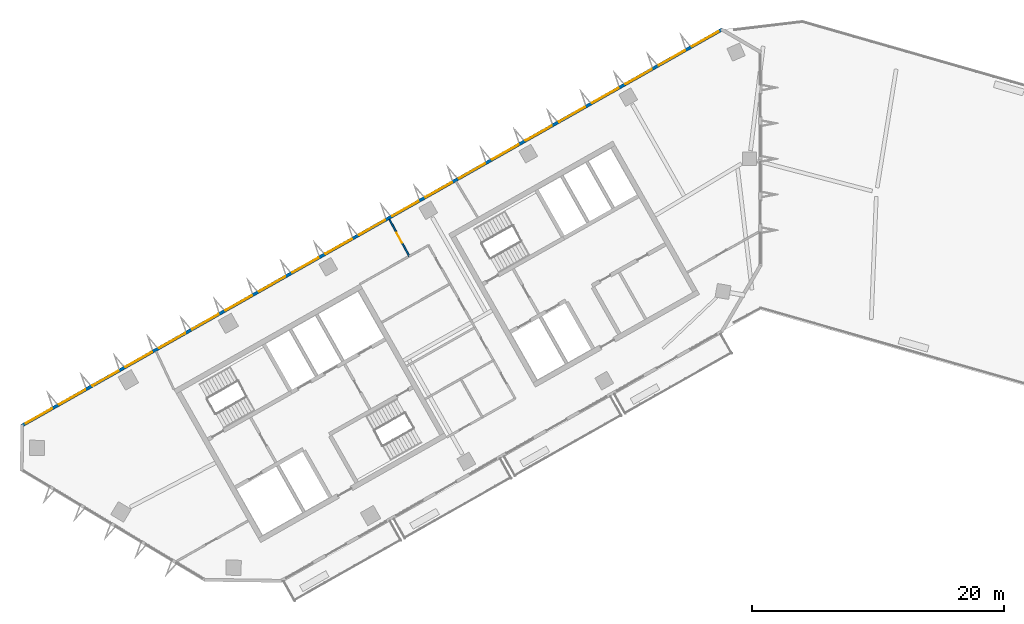
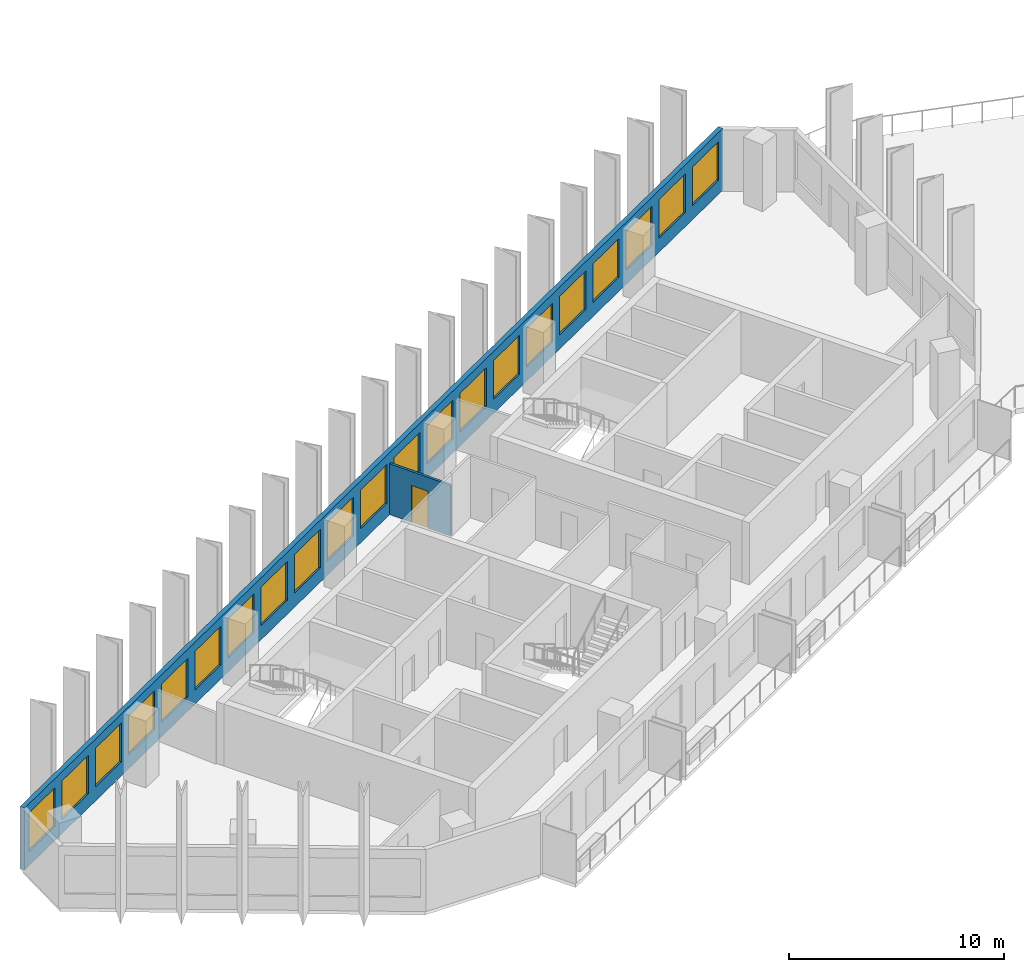
# One storey, part 3 of 8: 21 windows, 2 walls, 1 door, 22 openings.
"""IFC4 building model written with IfcOpenShell, lengths in metres."""

from ifc_helpers import new_model, si_unit, direction, frame, frame_2d, origin, place, context, subcontext, project, spatial, rectangle, extrude, material, layer, layer_set, type_object, element, fill, save


model = new_model("IFC4")

# Units and contexts
model_context = context("Model", 3, precision=1e-05, world=origin(), true_north=direction((0.0, 1.0)))
body_context = subcontext(model_context, "Body", "Model", "MODEL_VIEW")
ifc_project = project(units=[si_unit("LENGTHUNIT", "METRE"), si_unit("AREAUNIT", "SQUARE_METRE"), si_unit("VOLUMEUNIT", "CUBIC_METRE"), si_unit("PLANEANGLEUNIT", "RADIAN"), si_unit("MASSUNIT", "GRAM", prefix="KILO")], contexts=[model_context])

# Site, building, storey
site_placement = place(None, origin())
site = spatial("IfcSite", under=ifc_project, at=site_placement, CompositionType="ELEMENT")
building_placement = place(site_placement, origin())
building = spatial("IfcBuilding", under=site, at=building_placement, Name="Binnacle Exchange Tower", CompositionType="ELEMENT")
storey_placement = place(building_placement, frame((0.0, 0.0, 262.699951171875)))
storey = spatial("IfcBuildingStorey", under=building, at=storey_placement, Name="L58", CompositionType="ELEMENT", Elevation=262.699951171875)

# Wall, openings, windows
ifc_material_1 = material(Name="Bronze aluminium cladding", Category="aluminium")
ifc_layer_1 = layer(ifc_material_1, 0.25)
ifc_layer_set_1 = layer_set([ifc_layer_1], Name="External wall - window wall 250")
wall_type_1 = type_object("IfcWallType", Name="External wall - window wall 250", PredefinedType="STANDARD", material=ifc_layer_set_1)
wall_1_placement = place(storey_placement, frame((-58.732177734375, 38.770751953125, 0.0), z_axis=(0.0, 0.0, 1.0), x_axis=(0.870355615581, 0.492423702137, 0.0)))
wall_1 = element("IfcWall", 1, at=wall_1_placement, inside=storey, type_object=wall_type_1, Name="External wall EW-H03 L58", PredefinedType="STANDARD", context=body_context, shape_type="SweptSolid", body=[
    extrude(rectangle(XDim=64.052490234375, YDim=0.25, at=frame_2d((32.0263671875, 0.0))), origin(), (0.0, 0.0, 1.0), 3.52001953125),
])
opening_1_placement = place(wall_1_placement, frame((61.25927734375, 0.0, 0.800048828125)))
opening_1 = element("IfcOpeningElement", 2, at=opening_1_placement, cuts=wall_1, Name="Opening WR2", PredefinedType="OPENING", context=body_context, shape_type="SweptSolid", body=[
    extrude(rectangle(XDim=2.39990234375, YDim=2.199951171875, at=frame_2d((1.199951171875, 1.10009765625))), frame((0.0, 0.135009765625, 0.0), z_axis=(0.0, -1.0, 0.0), x_axis=(1.0, 0.0, 0.0)), (0.0, 0.0, 1.0), 0.27001953125),
])
opening_2_placement = place(wall_1_placement, frame((58.2158203125, 0.0, 0.800048828125)))
opening_2 = element("IfcOpeningElement", 3, at=opening_2_placement, cuts=wall_1, Name="Opening WR2", PredefinedType="OPENING", context=body_context, shape_type="SweptSolid", body=[
    extrude(rectangle(XDim=2.39990234375, YDim=2.199951171875, at=frame_2d((1.199951171875, 1.10009765625))), frame((0.0, 0.135009765625, 0.0), z_axis=(0.0, -1.0, 0.0), x_axis=(1.0, 0.0, 0.0)), (0.0, 0.0, 1.0), 0.27001953125),
])
opening_3_placement = place(wall_1_placement, frame((55.172607421875, 0.0, 0.800048828125)))
opening_3 = element("IfcOpeningElement", 4, at=opening_3_placement, cuts=wall_1, Name="Opening WR2", PredefinedType="OPENING", context=body_context, shape_type="SweptSolid", body=[
    extrude(rectangle(XDim=2.39990234375, YDim=2.199951171875, at=frame_2d((1.199951171875, 1.10009765625))), frame((0.0, 0.135009765625, 0.0), z_axis=(0.0, -1.0, 0.0), x_axis=(1.0, 0.0, 0.0)), (0.0, 0.0, 1.0), 0.27001953125),
])
opening_4_placement = place(wall_1_placement, frame((52.12939453125, 0.0, 0.800048828125)))
opening_4 = element("IfcOpeningElement", 5, at=opening_4_placement, cuts=wall_1, Name="Opening WR2", PredefinedType="OPENING", context=body_context, shape_type="SweptSolid", body=[
    extrude(rectangle(XDim=2.39990234375, YDim=2.199951171875, at=frame_2d((1.199951171875, 1.10009765625))), frame((0.0, 0.135009765625, 0.0), z_axis=(0.0, -1.0, 0.0), x_axis=(1.0, 0.0, 0.0)), (0.0, 0.0, 1.0), 0.27001953125),
])
opening_5_placement = place(wall_1_placement, frame((49.0859375, 0.0, 0.800048828125)))
opening_5 = element("IfcOpeningElement", 6, at=opening_5_placement, cuts=wall_1, Name="Opening WR2", PredefinedType="OPENING", context=body_context, shape_type="SweptSolid", body=[
    extrude(rectangle(XDim=2.39990234375, YDim=2.199951171875, at=frame_2d((1.199951171875, 1.10009765625))), frame((0.0, 0.135009765625, 0.0), z_axis=(0.0, -1.0, 0.0), x_axis=(1.0, 0.0, 0.0)), (0.0, 0.0, 1.0), 0.27001953125),
])
opening_6_placement = place(wall_1_placement, frame((46.042724609375, 0.0, 0.800048828125)))
opening_6 = element("IfcOpeningElement", 7, at=opening_6_placement, cuts=wall_1, Name="Opening WR2", PredefinedType="OPENING", context=body_context, shape_type="SweptSolid", body=[
    extrude(rectangle(XDim=2.39990234375, YDim=2.199951171875, at=frame_2d((1.199951171875, 1.10009765625))), frame((0.0, 0.135009765625, 0.0), z_axis=(0.0, -1.0, 0.0), x_axis=(1.0, 0.0, 0.0)), (0.0, 0.0, 1.0), 0.27001953125),
])
opening_7_placement = place(wall_1_placement, frame((42.99951171875, 0.0, 0.800048828125)))
opening_7 = element("IfcOpeningElement", 8, at=opening_7_placement, cuts=wall_1, Name="Opening WR2", PredefinedType="OPENING", context=body_context, shape_type="SweptSolid", body=[
    extrude(rectangle(XDim=2.39990234375, YDim=2.199951171875, at=frame_2d((1.199951171875, 1.10009765625))), frame((0.0, 0.135009765625, 0.0), z_axis=(0.0, -1.0, 0.0), x_axis=(1.0, 0.0, 0.0)), (0.0, 0.0, 1.0), 0.27001953125),
])
opening_8_placement = place(wall_1_placement, frame((39.956298828125, 0.0, 0.800048828125)))
opening_8 = element("IfcOpeningElement", 9, at=opening_8_placement, cuts=wall_1, Name="Opening WR2", PredefinedType="OPENING", context=body_context, shape_type="SweptSolid", body=[
    extrude(rectangle(XDim=2.39990234375, YDim=2.199951171875, at=frame_2d((1.199951171875, 1.10009765625))), frame((0.0, 0.135009765625, 0.0), z_axis=(0.0, -1.0, 0.0), x_axis=(1.0, 0.0, 0.0)), (0.0, 0.0, 1.0), 0.27001953125),
])
opening_9_placement = place(wall_1_placement, frame((36.912841796875, 0.0, 0.800048828125)))
opening_9 = element("IfcOpeningElement", 10, at=opening_9_placement, cuts=wall_1, Name="Opening WR2", PredefinedType="OPENING", context=body_context, shape_type="SweptSolid", body=[
    extrude(rectangle(XDim=2.39990234375, YDim=2.199951171875, at=frame_2d((1.199951171875, 1.10009765625))), frame((0.0, 0.135009765625, 0.0), z_axis=(0.0, -1.0, 0.0), x_axis=(1.0, 0.0, 0.0)), (0.0, 0.0, 1.0), 0.27001953125),
])
opening_10_placement = place(wall_1_placement, frame((33.86962890625, 0.0, 0.800048828125)))
opening_10 = element("IfcOpeningElement", 11, at=opening_10_placement, cuts=wall_1, Name="Opening WR2", PredefinedType="OPENING", context=body_context, shape_type="SweptSolid", body=[
    extrude(rectangle(XDim=2.39990234375, YDim=2.199951171875, at=frame_2d((1.199951171875, 1.10009765625))), frame((0.0, 0.135009765625, 0.0), z_axis=(0.0, -1.0, 0.0), x_axis=(1.0, 0.0, 0.0)), (0.0, 0.0, 1.0), 0.27001953125),
])
opening_11_placement = place(wall_1_placement, frame((30.826416015625, 0.0, 0.800048828125)))
opening_11 = element("IfcOpeningElement", 12, at=opening_11_placement, cuts=wall_1, Name="Opening WR2", PredefinedType="OPENING", context=body_context, shape_type="SweptSolid", body=[
    extrude(rectangle(XDim=2.39990234375, YDim=2.199951171875, at=frame_2d((1.199951171875, 1.10009765625))), frame((0.0, 0.135009765625, 0.0), z_axis=(0.0, -1.0, 0.0), x_axis=(1.0, 0.0, 0.0)), (0.0, 0.0, 1.0), 0.27001953125),
])
opening_12_placement = place(wall_1_placement, frame((27.782958984375, 0.0, 0.800048828125)))
opening_12 = element("IfcOpeningElement", 13, at=opening_12_placement, cuts=wall_1, Name="Opening WR2", PredefinedType="OPENING", context=body_context, shape_type="SweptSolid", body=[
    extrude(rectangle(XDim=2.39990234375, YDim=2.199951171875, at=frame_2d((1.199951171875, 1.10009765625))), frame((0.0, 0.135009765625, 0.0), z_axis=(0.0, -1.0, 0.0), x_axis=(1.0, 0.0, 0.0)), (0.0, 0.0, 1.0), 0.27001953125),
])
opening_13_placement = place(wall_1_placement, frame((24.73974609375, 0.0, 0.800048828125)))
opening_13 = element("IfcOpeningElement", 14, at=opening_13_placement, cuts=wall_1, Name="Opening WR2", PredefinedType="OPENING", context=body_context, shape_type="SweptSolid", body=[
    extrude(rectangle(XDim=2.39990234375, YDim=2.199951171875, at=frame_2d((1.199951171875, 1.10009765625))), frame((0.0, 0.135009765625, 0.0), z_axis=(0.0, -1.0, 0.0), x_axis=(1.0, 0.0, 0.0)), (0.0, 0.0, 1.0), 0.27001953125),
])
opening_14_placement = place(wall_1_placement, frame((21.6962890625, 0.0, 0.800048828125)))
opening_14 = element("IfcOpeningElement", 15, at=opening_14_placement, cuts=wall_1, Name="Opening WR2", PredefinedType="OPENING", context=body_context, shape_type="SweptSolid", body=[
    extrude(rectangle(XDim=2.39990234375, YDim=2.199951171875, at=frame_2d((1.199951171875, 1.10009765625))), frame((0.0, 0.135009765625, 0.0), z_axis=(0.0, -1.0, 0.0), x_axis=(1.0, 0.0, 0.0)), (0.0, 0.0, 1.0), 0.27001953125),
])
opening_15_placement = place(wall_1_placement, frame((18.6533203125, 0.0, 0.800048828125)))
opening_15 = element("IfcOpeningElement", 16, at=opening_15_placement, cuts=wall_1, Name="Opening WR2", PredefinedType="OPENING", context=body_context, shape_type="SweptSolid", body=[
    extrude(rectangle(XDim=2.39990234375, YDim=2.199951171875, at=frame_2d((1.199951171875, 1.10009765625))), frame((0.0, 0.135009765625, 0.0), z_axis=(0.0, -1.0, 0.0), x_axis=(1.0, 0.0, 0.0)), (0.0, 0.0, 1.0), 0.27001953125),
])
opening_16_placement = place(wall_1_placement, frame((15.60986328125, 0.0, 0.800048828125)))
opening_16 = element("IfcOpeningElement", 17, at=opening_16_placement, cuts=wall_1, Name="Opening WR2", PredefinedType="OPENING", context=body_context, shape_type="SweptSolid", body=[
    extrude(rectangle(XDim=2.39990234375, YDim=2.199951171875, at=frame_2d((1.199951171875, 1.10009765625))), frame((0.0, 0.135009765625, 0.0), z_axis=(0.0, -1.0, 0.0), x_axis=(1.0, 0.0, 0.0)), (0.0, 0.0, 1.0), 0.27001953125),
])
opening_17_placement = place(wall_1_placement, frame((12.566650390625, 0.0, 0.800048828125)))
opening_17 = element("IfcOpeningElement", 18, at=opening_17_placement, cuts=wall_1, Name="Opening WR2", PredefinedType="OPENING", context=body_context, shape_type="SweptSolid", body=[
    extrude(rectangle(XDim=2.39990234375, YDim=2.199951171875, at=frame_2d((1.199951171875, 1.10009765625))), frame((0.0, 0.135009765625, 0.0), z_axis=(0.0, -1.0, 0.0), x_axis=(1.0, 0.0, 0.0)), (0.0, 0.0, 1.0), 0.27001953125),
])
opening_18_placement = place(wall_1_placement, frame((9.523193359375, 0.0, 0.800048828125)))
opening_18 = element("IfcOpeningElement", 19, at=opening_18_placement, cuts=wall_1, Name="Opening WR2", PredefinedType="OPENING", context=body_context, shape_type="SweptSolid", body=[
    extrude(rectangle(XDim=2.39990234375, YDim=2.199951171875, at=frame_2d((1.199951171875, 1.10009765625))), frame((0.0, 0.135009765625, 0.0), z_axis=(0.0, -1.0, 0.0), x_axis=(1.0, 0.0, 0.0)), (0.0, 0.0, 1.0), 0.27001953125),
])
opening_19_placement = place(wall_1_placement, frame((6.47998046875, 0.0, 0.800048828125)))
opening_19 = element("IfcOpeningElement", 20, at=opening_19_placement, cuts=wall_1, Name="Opening WR2", PredefinedType="OPENING", context=body_context, shape_type="SweptSolid", body=[
    extrude(rectangle(XDim=2.39990234375, YDim=2.199951171875, at=frame_2d((1.199951171875, 1.10009765625))), frame((0.0, 0.135009765625, 0.0), z_axis=(0.0, -1.0, 0.0), x_axis=(1.0, 0.0, 0.0)), (0.0, 0.0, 1.0), 0.27001953125),
])
opening_20_placement = place(wall_1_placement, frame((3.436767578125, 0.0, 0.800048828125)))
opening_20 = element("IfcOpeningElement", 21, at=opening_20_placement, cuts=wall_1, Name="Opening WR2", PredefinedType="OPENING", context=body_context, shape_type="SweptSolid", body=[
    extrude(rectangle(XDim=2.39990234375, YDim=2.199951171875, at=frame_2d((1.199951171875, 1.10009765625))), frame((0.0, 0.135009765625, 0.0), z_axis=(0.0, -1.0, 0.0), x_axis=(1.0, 0.0, 0.0)), (0.0, 0.0, 1.0), 0.27001953125),
])
opening_21_placement = place(wall_1_placement, frame((0.393310546875, 0.0, 0.800048828125)))
opening_21 = element("IfcOpeningElement", 22, at=opening_21_placement, cuts=wall_1, Name="Opening WR2", PredefinedType="OPENING", context=body_context, shape_type="SweptSolid", body=[
    extrude(rectangle(XDim=2.39990234375, YDim=2.199951171875, at=frame_2d((1.199951171875, 1.10009765625))), frame((0.0, 0.135009765625, 0.0), z_axis=(0.0, -1.0, 0.0), x_axis=(1.0, 0.0, 0.0)), (0.0, 0.0, 1.0), 0.27001953125),
])
ifc_material_2 = material(Name="Bronze anodised aluminium frame", Category="aluminium")
window_type = type_object("IfcWindowType", Name="WR2 WINDOW 2400x2200", PartitioningType="SINGLE_PANEL", PredefinedType="WINDOW", material=ifc_material_2)
window_1_placement = place(opening_1_placement, origin())
window_1 = element("IfcWindow", 23, at=window_1_placement, inside=storey, type_object=window_type, Name="Window WR2 L58", OverallHeight=2.199951171875, OverallWidth=2.39990234375, PartitioningType="SINGLE_PANEL", PredefinedType="WINDOW", context=body_context, shape_type="SweptSolid", body=[
    extrude(rectangle(XDim=2.39990234375, YDim=2.199951171875, at=frame_2d((1.199951171875, 1.10009765625))), frame((0.0, 0.030029296875, 0.0), z_axis=(0.0, -1.0, 0.0), x_axis=(1.0, 0.0, 0.0)), (0.0, 0.0, 1.0), 0.06005859375),
])
fill(opening_1, window_1)
window_2_placement = place(opening_2_placement, origin())
window_2 = element("IfcWindow", 24, at=window_2_placement, inside=storey, type_object=window_type, Name="Window WR2 L58", OverallHeight=2.199951171875, OverallWidth=2.39990234375, PartitioningType="SINGLE_PANEL", PredefinedType="WINDOW", context=body_context, shape_type="SweptSolid", body=[
    extrude(rectangle(XDim=2.39990234375, YDim=2.199951171875, at=frame_2d((1.199951171875, 1.10009765625))), frame((0.0, 0.030029296875, 0.0), z_axis=(0.0, -1.0, 0.0), x_axis=(1.0, 0.0, 0.0)), (0.0, 0.0, 1.0), 0.06005859375),
])
fill(opening_2, window_2)
window_3_placement = place(opening_3_placement, origin())
window_3 = element("IfcWindow", 25, at=window_3_placement, inside=storey, type_object=window_type, Name="Window WR2 L58", OverallHeight=2.199951171875, OverallWidth=2.39990234375, PartitioningType="SINGLE_PANEL", PredefinedType="WINDOW", context=body_context, shape_type="SweptSolid", body=[
    extrude(rectangle(XDim=2.39990234375, YDim=2.199951171875, at=frame_2d((1.199951171875, 1.10009765625))), frame((0.0, 0.030029296875, 0.0), z_axis=(0.0, -1.0, 0.0), x_axis=(1.0, 0.0, 0.0)), (0.0, 0.0, 1.0), 0.06005859375),
])
fill(opening_3, window_3)
window_4_placement = place(opening_4_placement, origin())
window_4 = element("IfcWindow", 26, at=window_4_placement, inside=storey, type_object=window_type, Name="Window WR2 L58", OverallHeight=2.199951171875, OverallWidth=2.39990234375, PartitioningType="SINGLE_PANEL", PredefinedType="WINDOW", context=body_context, shape_type="SweptSolid", body=[
    extrude(rectangle(XDim=2.39990234375, YDim=2.199951171875, at=frame_2d((1.199951171875, 1.10009765625))), frame((0.0, 0.030029296875, 0.0), z_axis=(0.0, -1.0, 0.0), x_axis=(1.0, 0.0, 0.0)), (0.0, 0.0, 1.0), 0.06005859375),
])
fill(opening_4, window_4)
window_5_placement = place(opening_5_placement, origin())
window_5 = element("IfcWindow", 27, at=window_5_placement, inside=storey, type_object=window_type, Name="Window WR2 L58", OverallHeight=2.199951171875, OverallWidth=2.39990234375, PartitioningType="SINGLE_PANEL", PredefinedType="WINDOW", context=body_context, shape_type="SweptSolid", body=[
    extrude(rectangle(XDim=2.39990234375, YDim=2.199951171875, at=frame_2d((1.199951171875, 1.10009765625))), frame((0.0, 0.030029296875, 0.0), z_axis=(0.0, -1.0, 0.0), x_axis=(1.0, 0.0, 0.0)), (0.0, 0.0, 1.0), 0.06005859375),
])
fill(opening_5, window_5)
window_6_placement = place(opening_6_placement, origin())
window_6 = element("IfcWindow", 28, at=window_6_placement, inside=storey, type_object=window_type, Name="Window WR2 L58", OverallHeight=2.199951171875, OverallWidth=2.39990234375, PartitioningType="SINGLE_PANEL", PredefinedType="WINDOW", context=body_context, shape_type="SweptSolid", body=[
    extrude(rectangle(XDim=2.39990234375, YDim=2.199951171875, at=frame_2d((1.199951171875, 1.10009765625))), frame((0.0, 0.030029296875, 0.0), z_axis=(0.0, -1.0, 0.0), x_axis=(1.0, 0.0, 0.0)), (0.0, 0.0, 1.0), 0.06005859375),
])
fill(opening_6, window_6)
window_7_placement = place(opening_7_placement, origin())
window_7 = element("IfcWindow", 29, at=window_7_placement, inside=storey, type_object=window_type, Name="Window WR2 L58", OverallHeight=2.199951171875, OverallWidth=2.39990234375, PartitioningType="SINGLE_PANEL", PredefinedType="WINDOW", context=body_context, shape_type="SweptSolid", body=[
    extrude(rectangle(XDim=2.39990234375, YDim=2.199951171875, at=frame_2d((1.199951171875, 1.10009765625))), frame((0.0, 0.030029296875, 0.0), z_axis=(0.0, -1.0, 0.0), x_axis=(1.0, 0.0, 0.0)), (0.0, 0.0, 1.0), 0.06005859375),
])
fill(opening_7, window_7)
window_8_placement = place(opening_8_placement, origin())
window_8 = element("IfcWindow", 30, at=window_8_placement, inside=storey, type_object=window_type, Name="Window WR2 L58", OverallHeight=2.199951171875, OverallWidth=2.39990234375, PartitioningType="SINGLE_PANEL", PredefinedType="WINDOW", context=body_context, shape_type="SweptSolid", body=[
    extrude(rectangle(XDim=2.39990234375, YDim=2.199951171875, at=frame_2d((1.199951171875, 1.10009765625))), frame((0.0, 0.030029296875, 0.0), z_axis=(0.0, -1.0, 0.0), x_axis=(1.0, 0.0, 0.0)), (0.0, 0.0, 1.0), 0.06005859375),
])
fill(opening_8, window_8)
window_9_placement = place(opening_9_placement, origin())
window_9 = element("IfcWindow", 31, at=window_9_placement, inside=storey, type_object=window_type, Name="Window WR2 L58", OverallHeight=2.199951171875, OverallWidth=2.39990234375, PartitioningType="SINGLE_PANEL", PredefinedType="WINDOW", context=body_context, shape_type="SweptSolid", body=[
    extrude(rectangle(XDim=2.39990234375, YDim=2.199951171875, at=frame_2d((1.199951171875, 1.10009765625))), frame((0.0, 0.030029296875, 0.0), z_axis=(0.0, -1.0, 0.0), x_axis=(1.0, 0.0, 0.0)), (0.0, 0.0, 1.0), 0.06005859375),
])
fill(opening_9, window_9)
window_10_placement = place(opening_10_placement, origin())
window_10 = element("IfcWindow", 32, at=window_10_placement, inside=storey, type_object=window_type, Name="Window WR2 L58", OverallHeight=2.199951171875, OverallWidth=2.39990234375, PartitioningType="SINGLE_PANEL", PredefinedType="WINDOW", context=body_context, shape_type="SweptSolid", body=[
    extrude(rectangle(XDim=2.39990234375, YDim=2.199951171875, at=frame_2d((1.199951171875, 1.10009765625))), frame((0.0, 0.030029296875, 0.0), z_axis=(0.0, -1.0, 0.0), x_axis=(1.0, 0.0, 0.0)), (0.0, 0.0, 1.0), 0.06005859375),
])
fill(opening_10, window_10)
window_11_placement = place(opening_11_placement, origin())
window_11 = element("IfcWindow", 33, at=window_11_placement, inside=storey, type_object=window_type, Name="Window WR2 L58", OverallHeight=2.199951171875, OverallWidth=2.39990234375, PartitioningType="SINGLE_PANEL", PredefinedType="WINDOW", context=body_context, shape_type="SweptSolid", body=[
    extrude(rectangle(XDim=2.39990234375, YDim=2.199951171875, at=frame_2d((1.199951171875, 1.10009765625))), frame((0.0, 0.030029296875, 0.0), z_axis=(0.0, -1.0, 0.0), x_axis=(1.0, 0.0, 0.0)), (0.0, 0.0, 1.0), 0.06005859375),
])
fill(opening_11, window_11)
window_12_placement = place(opening_12_placement, origin())
window_12 = element("IfcWindow", 34, at=window_12_placement, inside=storey, type_object=window_type, Name="Window WR2 L58", OverallHeight=2.199951171875, OverallWidth=2.39990234375, PartitioningType="SINGLE_PANEL", PredefinedType="WINDOW", context=body_context, shape_type="SweptSolid", body=[
    extrude(rectangle(XDim=2.39990234375, YDim=2.199951171875, at=frame_2d((1.199951171875, 1.10009765625))), frame((0.0, 0.030029296875, 0.0), z_axis=(0.0, -1.0, 0.0), x_axis=(1.0, 0.0, 0.0)), (0.0, 0.0, 1.0), 0.06005859375),
])
fill(opening_12, window_12)
window_13_placement = place(opening_13_placement, origin())
window_13 = element("IfcWindow", 35, at=window_13_placement, inside=storey, type_object=window_type, Name="Window WR2 L58", OverallHeight=2.199951171875, OverallWidth=2.39990234375, PartitioningType="SINGLE_PANEL", PredefinedType="WINDOW", context=body_context, shape_type="SweptSolid", body=[
    extrude(rectangle(XDim=2.39990234375, YDim=2.199951171875, at=frame_2d((1.199951171875, 1.10009765625))), frame((0.0, 0.030029296875, 0.0), z_axis=(0.0, -1.0, 0.0), x_axis=(1.0, 0.0, 0.0)), (0.0, 0.0, 1.0), 0.06005859375),
])
fill(opening_13, window_13)
window_14_placement = place(opening_14_placement, origin())
window_14 = element("IfcWindow", 36, at=window_14_placement, inside=storey, type_object=window_type, Name="Window WR2 L58", OverallHeight=2.199951171875, OverallWidth=2.39990234375, PartitioningType="SINGLE_PANEL", PredefinedType="WINDOW", context=body_context, shape_type="SweptSolid", body=[
    extrude(rectangle(XDim=2.39990234375, YDim=2.199951171875, at=frame_2d((1.199951171875, 1.10009765625))), frame((0.0, 0.030029296875, 0.0), z_axis=(0.0, -1.0, 0.0), x_axis=(1.0, 0.0, 0.0)), (0.0, 0.0, 1.0), 0.06005859375),
])
fill(opening_14, window_14)
window_15_placement = place(opening_15_placement, origin())
window_15 = element("IfcWindow", 37, at=window_15_placement, inside=storey, type_object=window_type, Name="Window WR2 L58", OverallHeight=2.199951171875, OverallWidth=2.39990234375, PartitioningType="SINGLE_PANEL", PredefinedType="WINDOW", context=body_context, shape_type="SweptSolid", body=[
    extrude(rectangle(XDim=2.39990234375, YDim=2.199951171875, at=frame_2d((1.199951171875, 1.10009765625))), frame((0.0, 0.030029296875, 0.0), z_axis=(0.0, -1.0, 0.0), x_axis=(1.0, 0.0, 0.0)), (0.0, 0.0, 1.0), 0.06005859375),
])
fill(opening_15, window_15)
window_16_placement = place(opening_16_placement, origin())
window_16 = element("IfcWindow", 38, at=window_16_placement, inside=storey, type_object=window_type, Name="Window WR2 L58", OverallHeight=2.199951171875, OverallWidth=2.39990234375, PartitioningType="SINGLE_PANEL", PredefinedType="WINDOW", context=body_context, shape_type="SweptSolid", body=[
    extrude(rectangle(XDim=2.39990234375, YDim=2.199951171875, at=frame_2d((1.199951171875, 1.10009765625))), frame((0.0, 0.030029296875, 0.0), z_axis=(0.0, -1.0, 0.0), x_axis=(1.0, 0.0, 0.0)), (0.0, 0.0, 1.0), 0.06005859375),
])
fill(opening_16, window_16)
window_17_placement = place(opening_17_placement, origin())
window_17 = element("IfcWindow", 39, at=window_17_placement, inside=storey, type_object=window_type, Name="Window WR2 L58", OverallHeight=2.199951171875, OverallWidth=2.39990234375, PartitioningType="SINGLE_PANEL", PredefinedType="WINDOW", context=body_context, shape_type="SweptSolid", body=[
    extrude(rectangle(XDim=2.39990234375, YDim=2.199951171875, at=frame_2d((1.199951171875, 1.10009765625))), frame((0.0, 0.030029296875, 0.0), z_axis=(0.0, -1.0, 0.0), x_axis=(1.0, 0.0, 0.0)), (0.0, 0.0, 1.0), 0.06005859375),
])
fill(opening_17, window_17)
window_18_placement = place(opening_18_placement, origin())
window_18 = element("IfcWindow", 40, at=window_18_placement, inside=storey, type_object=window_type, Name="Window WR2 L58", OverallHeight=2.199951171875, OverallWidth=2.39990234375, PartitioningType="SINGLE_PANEL", PredefinedType="WINDOW", context=body_context, shape_type="SweptSolid", body=[
    extrude(rectangle(XDim=2.39990234375, YDim=2.199951171875, at=frame_2d((1.199951171875, 1.10009765625))), frame((0.0, 0.030029296875, 0.0), z_axis=(0.0, -1.0, 0.0), x_axis=(1.0, 0.0, 0.0)), (0.0, 0.0, 1.0), 0.06005859375),
])
fill(opening_18, window_18)
window_19_placement = place(opening_19_placement, origin())
window_19 = element("IfcWindow", 41, at=window_19_placement, inside=storey, type_object=window_type, Name="Window WR2 L58", OverallHeight=2.199951171875, OverallWidth=2.39990234375, PartitioningType="SINGLE_PANEL", PredefinedType="WINDOW", context=body_context, shape_type="SweptSolid", body=[
    extrude(rectangle(XDim=2.39990234375, YDim=2.199951171875, at=frame_2d((1.199951171875, 1.10009765625))), frame((0.0, 0.030029296875, 0.0), z_axis=(0.0, -1.0, 0.0), x_axis=(1.0, 0.0, 0.0)), (0.0, 0.0, 1.0), 0.06005859375),
])
fill(opening_19, window_19)
window_20_placement = place(opening_20_placement, origin())
window_20 = element("IfcWindow", 42, at=window_20_placement, inside=storey, type_object=window_type, Name="Window WR2 L58", OverallHeight=2.199951171875, OverallWidth=2.39990234375, PartitioningType="SINGLE_PANEL", PredefinedType="WINDOW", context=body_context, shape_type="SweptSolid", body=[
    extrude(rectangle(XDim=2.39990234375, YDim=2.199951171875, at=frame_2d((1.199951171875, 1.10009765625))), frame((0.0, 0.030029296875, 0.0), z_axis=(0.0, -1.0, 0.0), x_axis=(1.0, 0.0, 0.0)), (0.0, 0.0, 1.0), 0.06005859375),
])
fill(opening_20, window_20)
window_21_placement = place(opening_21_placement, origin())
window_21 = element("IfcWindow", 43, at=window_21_placement, inside=storey, type_object=window_type, Name="Window WR2 L58", OverallHeight=2.199951171875, OverallWidth=2.39990234375, PartitioningType="SINGLE_PANEL", PredefinedType="WINDOW", context=body_context, shape_type="SweptSolid", body=[
    extrude(rectangle(XDim=2.39990234375, YDim=2.199951171875, at=frame_2d((1.199951171875, 1.10009765625))), frame((0.0, 0.030029296875, 0.0), z_axis=(0.0, -1.0, 0.0), x_axis=(1.0, 0.0, 0.0)), (0.0, 0.0, 1.0), 0.06005859375),
])
fill(opening_21, window_21)

# Wall, opening, door
ifc_material_3 = material(Name="Gypsum partition")
ifc_layer_2 = layer(ifc_material_3, 0.125)
ifc_layer_set_2 = layer_set([ifc_layer_2], Name="Partition 125")
wall_type_2 = type_object("IfcWallType", Name="Partition 125", PredefinedType="PARTITIONING", material=ifc_layer_set_2)
wall_2_placement = place(storey_placement, frame((-29.47412109375, 55.180908203125, 0.0), z_axis=(0.0, 0.0, 1.0), x_axis=(0.475344759365, -0.879799613403, 0.0)))
wall_2 = element("IfcWall", 44, at=wall_2_placement, inside=storey, type_object=wall_type_2, Name="Partition W05", PredefinedType="PARTITIONING", context=body_context, shape_type="SweptSolid", body=[
    extrude(rectangle(XDim=3.320068359375, YDim=0.125, at=frame_2d((1.66015625, 0.0))), origin(), (0.0, 0.0, 1.0), 2.887939453125),
])
opening_22_placement = place(wall_2_placement, frame((1.199951171875, 0.0, 0.0)))
opening_22 = element("IfcOpeningElement", 45, at=opening_22_placement, cuts=wall_2, Name="Opening DL58-02", PredefinedType="OPENING", context=body_context, shape_type="SweptSolid", body=[
    extrude(rectangle(XDim=0.89990234375, YDim=2.10009765625, at=frame_2d((0.449951171875, 1.050048828125))), frame((0.0, 0.072509765625, 0.0), z_axis=(0.0, -1.0, 0.0), x_axis=(1.0, 0.0, 0.0)), (0.0, 0.0, 1.0), 0.14501953125),
])
ifc_material_4 = material(Name="Timber door leaf", Category="wood")
door_type = type_object("IfcDoorType", Name="Door 900", OperationType="NOTDEFINED", PredefinedType="DOOR", material=ifc_material_4)
door_placement = place(opening_22_placement, frame((0.89990234375, 0.0, 0.0), z_axis=(0.0, 0.0, 1.0), x_axis=(-1.0, 0.0, 0.0)))
door = element("IfcDoor", 46, at=door_placement, inside=storey, type_object=door_type, Name="Door DL58-02", OperationType="SINGLE_SWING_RIGHT", OverallHeight=2.10009765625, OverallWidth=0.89990234375, PredefinedType="DOOR", context=body_context, shape_type="SweptSolid", body=[
    extrude(rectangle(XDim=0.89990234375, YDim=2.10009765625, at=frame_2d((0.449951171875, 1.050048828125))), frame((0.0, 0.02490234375, 0.0), z_axis=(0.0, -1.0, 0.0), x_axis=(1.0, 0.0, 0.0)), (0.0, 0.0, 1.0), 0.050048828125),
])
fill(opening_22, door)

save(model, "model.ifc")
